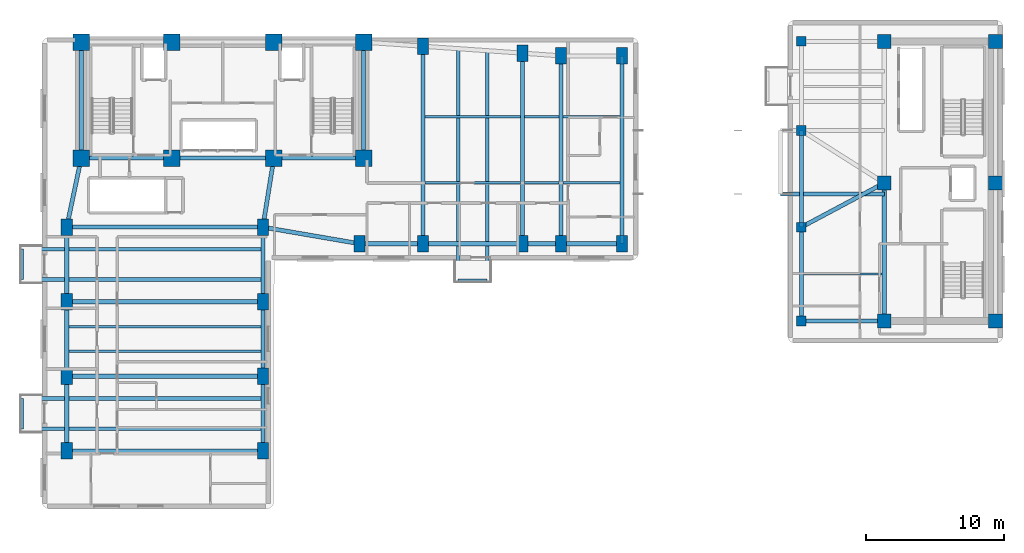
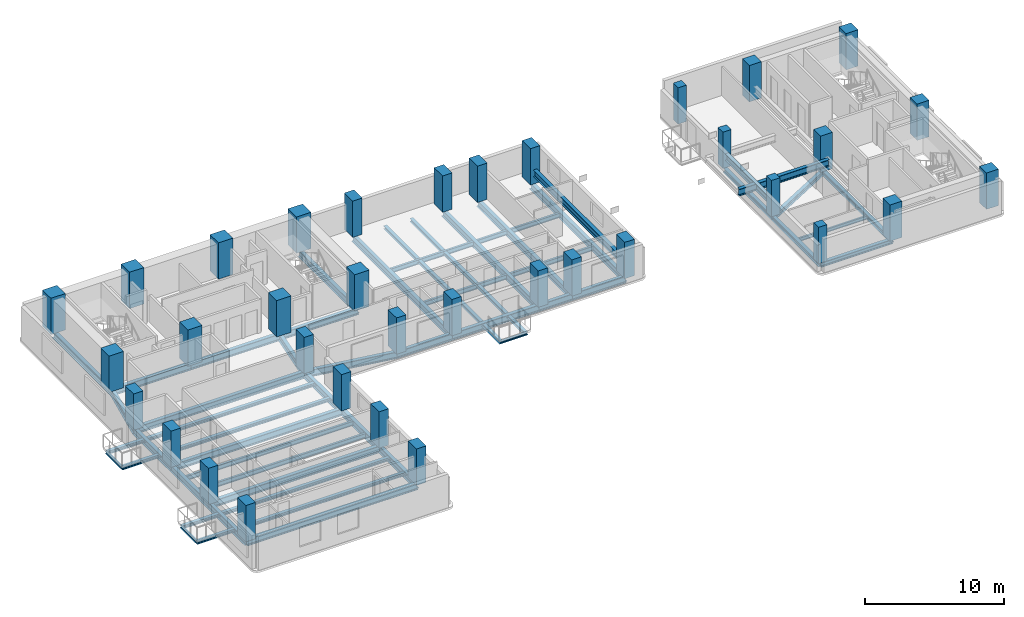
# One storey, part 1 of 11: 52 beams, 35 columns.
"""IFC4 building model written with IfcOpenShell, lengths in metres."""

from ifc_helpers import new_model, si_unit, direction, frame, origin, origin_2d, place, context, subcontext, project, spatial, rectangle, i_section, extrude, material, material_profile, profile_set, type_object, element, save


model = new_model("IFC4")

# Units and contexts
model_context = context("Model", 3, precision=1e-05, world=origin(), true_north=direction((0.0, 1.0)))
body_context = subcontext(model_context, "Body", "Model", "MODEL_VIEW")
ifc_project = project(units=[si_unit("LENGTHUNIT", "METRE"), si_unit("AREAUNIT", "SQUARE_METRE"), si_unit("VOLUMEUNIT", "CUBIC_METRE"), si_unit("PLANEANGLEUNIT", "RADIAN"), si_unit("MASSUNIT", "GRAM", prefix="KILO")], contexts=[model_context])

# Site, building, storey
site_placement = place(None, origin())
site = spatial("IfcSite", under=ifc_project, at=site_placement, CompositionType="ELEMENT")
building_placement = place(site_placement, origin())
building = spatial("IfcBuilding", under=site, at=building_placement, Name="Kuzgunbayir Cultural Tower", CompositionType="ELEMENT")
storey_placement = place(building_placement, frame((0.0, 0.0, 99.39990234375)))
storey = spatial("IfcBuildingStorey", under=building, at=storey_placement, Name="L28", CompositionType="ELEMENT", Elevation=99.39990234375)

# Columns
ifc_material_1 = material(Name="Concrete C60/75", Category="concrete")
ifc_material_profile_1 = material_profile(ifc_material_1, rectangle(XDim=1.199951171875, YDim=1.199951171875, at=origin_2d()), Name="RC 1200x1200")
ifc_profile_set_1 = profile_set([ifc_material_profile_1], Name="Concrete C60/75")
column_type_1 = type_object("IfcColumnType", Name="COL-CORE-1200", PredefinedType="COLUMN", material=ifc_profile_set_1)
for number, where, z_axis, x_axis, name in (
    (1, (6.449951171875, 33.800048828125, 0.0), (0.0, 0.0, 1.0), (1.0, 0.0, 0.0), "L28 T1 Core Boundary Column CC1-1"),
    (2, (13.0, 33.800048828125, 0.0), (0.0, 0.0, 1.0), (1.0, 0.0, 0.0), "L28 T1 Core Boundary Column CC1-2"),
    (3, (20.39990234375, 33.800048828125, 0.0), (0.0, 0.0, 1.0), (1.0, 0.0, 0.0), "L28 T1 Core Boundary Column CC1-3"),
    (4, (26.89990234375, 33.800048828125, 0.0), (0.0, 0.0, 1.0), (1.0, 0.0, 0.0), "L28 T1 Core Boundary Column CC1-4"),
    (5, (6.449951171875, 42.199951171875, 0.0), (0.0, 0.0, 1.0), (1.0, 0.0, 0.0), "L28 T1 Core Boundary Column CC1-5"),
    (6, (13.0, 42.199951171875, 0.0), (0.0, 0.0, 1.0), (1.0, 0.0, 0.0), "L28 T1 Core Boundary Column CC1-6"),
    (7, (20.39990234375, 42.199951171875, 0.0), (0.0, 0.0, 1.0), (1.0, 0.0, 0.0), "L28 T1 Core Boundary Column CC1-7"),
    (8, (26.89990234375, 42.199951171875, 0.0), (0.0, 0.0, 1.0), (1.0, 0.0, 0.0), "L28 T1 Core Boundary Column CC1-8"),
):
    element("IfcColumn", number, at=place(storey_placement, frame(where, z_axis=z_axis, x_axis=x_axis)), inside=storey, type_object=column_type_1, Name=name, PredefinedType="COLUMN", context=body_context, shape_type="SweptSolid", body=[
        extrude(rectangle(XDim=1.199951171875, YDim=1.199951171875, at=origin_2d()), origin(), (0.0, 0.0, 1.0), 3.2001953125),
    ])
ifc_material_profile_2 = material_profile(ifc_material_1, rectangle(XDim=0.800048828125, YDim=1.199951171875, at=origin_2d()), Name="RC 1200x800")
ifc_profile_set_2 = profile_set([ifc_material_profile_2], Name="Concrete C60/75")
column_type_2 = type_object("IfcColumnType", Name="COL-T1-1200x800", PredefinedType="COLUMN", material=ifc_profile_set_2)
for number, where, z_axis, x_axis, name in (
    (9, (5.39990234375, 12.60009765625, 0.0), (0.0, 0.0, 1.0), (1.0, 0.0, 0.0), "L28 Tower 1 Wing A Column T1A-W-1"),
    (10, (19.60009765625, 12.60009765625, 0.0), (0.0, 0.0, 1.0), (1.0, 0.0, 0.0), "L28 Tower 1 Wing A Column T1A-E-1"),
    (11, (5.39990234375, 18.0, 0.0), (0.0, 0.0, 1.0), (1.0, 0.0, 0.0), "L28 Tower 1 Wing A Column T1A-W-2"),
    (12, (19.60009765625, 18.0, 0.0), (0.0, 0.0, 1.0), (1.0, 0.0, 0.0), "L28 Tower 1 Wing A Column T1A-E-2"),
    (13, (5.39990234375, 23.39990234375, 0.0), (0.0, 0.0, 1.0), (1.0, 0.0, 0.0), "L28 Tower 1 Wing A Column T1A-W-3"),
    (14, (19.60009765625, 23.39990234375, 0.0), (0.0, 0.0, 1.0), (1.0, 0.0, 0.0), "L28 Tower 1 Wing A Column T1A-E-3"),
    (15, (5.39990234375, 28.800048828125, 0.0), (0.0, 0.0, 1.0), (1.0, 0.0, 0.0), "L28 Tower 1 Wing A Column T1A-W-4"),
    (16, (19.60009765625, 28.800048828125, 0.0), (0.0, 0.0, 1.0), (1.0, 0.0, 0.0), "L28 Tower 1 Wing A Column T1A-E-4"),
    (17, (26.60009765625, 27.60009765625, 0.0), (0.0, 0.0, 1.0), (1.0, 0.0, 0.0), "L28 Tower 1 Wing B Column T1B-1-1"),
    (18, (31.199951171875, 27.60009765625, 0.0), (0.0, 0.0, 1.0), (1.0, 0.0, 0.0), "L28 Tower 1 Wing B Column T1B-2-1"),
    (19, (31.199951171875, 41.89990234375, 0.0), (0.0, 0.0, 1.0), (1.0, 0.0, 0.0), "L28 Tower 1 Wing B Column T1B-2-2"),
    (20, (38.39990234375, 27.60009765625, 0.0), (0.0, 0.0, 1.0), (1.0, 0.0, 0.0), "L28 Tower 1 Wing B Column T1B-3-1"),
    (21, (38.39990234375, 41.39990234375, 0.0), (0.0, 0.0, 1.0), (1.0, 0.0, 0.0), "L28 Tower 1 Wing B Column T1B-3-2"),
    (22, (41.199951171875, 27.60009765625, 0.0), (0.0, 0.0, 1.0), (1.0, 0.0, 0.0), "L28 Tower 1 Wing B Column T1B-4-1"),
    (23, (41.199951171875, 41.199951171875, 0.0), (0.0, 0.0, 1.0), (1.0, 0.0, 0.0), "L28 Tower 1 Wing B Column T1B-4-2"),
    (24, (45.60009765625, 27.60009765625, 0.0), (0.0, 0.0, 1.0), (1.0, 0.0, 0.0), "L28 Tower 1 Wing B Column T1B-5-1"),
    (25, (45.60009765625, 41.199951171875, 0.0), (0.0, 0.0, 1.0), (1.0, 0.0, 0.0), "L28 Tower 1 Wing B Column T1B-5-2"),
):
    element("IfcColumn", number, at=place(storey_placement, frame(where, z_axis=z_axis, x_axis=x_axis)), inside=storey, type_object=column_type_2, Name=name, PredefinedType="COLUMN", context=body_context, shape_type="SweptSolid", body=[
        extrude(rectangle(XDim=0.800048828125, YDim=1.199951171875, at=origin_2d()), origin(), (0.0, 0.0, 1.0), 3.2001953125),
    ])
ifc_material_profile_3 = material_profile(ifc_material_1, rectangle(XDim=1.0, YDim=1.0, at=origin_2d()), Name="RC 1000x1000")
ifc_profile_set_3 = profile_set([ifc_material_profile_3], Name="Concrete C60/75")
column_type_3 = type_object("IfcColumnType", Name="COL-T2-1000", PredefinedType="COLUMN", material=ifc_profile_set_3)
for number, where, z_axis, x_axis, name in (
    (26, (64.60009765625, 22.0, 0.0), (0.0, 0.0, 1.0), (1.0, 0.0, 0.0), "L28 T2 Core Boundary Column CC2-1"),
    (27, (72.64990234375, 22.0, 0.0), (0.0, 0.0, 1.0), (1.0, 0.0, 0.0), "L28 T2 Core Boundary Column CC2-2"),
    (28, (64.60009765625, 32.0, 0.0), (0.0, 0.0, 1.0), (1.0, 0.0, 0.0), "L28 T2 Core Boundary Column CC2-3"),
    (29, (72.64990234375, 32.0, 0.0), (0.0, 0.0, 1.0), (1.0, 0.0, 0.0), "L28 T2 Core Boundary Column CC2-4"),
    (30, (64.60009765625, 42.25, 0.0), (0.0, 0.0, 1.0), (1.0, 0.0, 0.0), "L28 T2 Core Boundary Column CC2-5"),
    (31, (72.64990234375, 42.25, 0.0), (0.0, 0.0, 1.0), (1.0, 0.0, 0.0), "L28 T2 Core Boundary Column CC2-6"),
):
    element("IfcColumn", number, at=place(storey_placement, frame(where, z_axis=z_axis, x_axis=x_axis)), inside=storey, type_object=column_type_3, Name=name, PredefinedType="COLUMN", context=body_context, shape_type="SweptSolid", body=[
        extrude(rectangle(XDim=1.0, YDim=1.0, at=origin_2d()), origin(), (0.0, 0.0, 1.0), 3.2001953125),
    ])
ifc_material_profile_4 = material_profile(ifc_material_1, rectangle(XDim=0.699951171875, YDim=0.699951171875, at=origin_2d()), Name="RC 700x700")
ifc_profile_set_4 = profile_set([ifc_material_profile_4], Name="Concrete C60/75")
column_type_4 = type_object("IfcColumnType", Name="COL-T2-700", PredefinedType="COLUMN", material=ifc_profile_set_4)
for number, where, z_axis, x_axis, name in (
    (32, (58.60009765625, 22.0, 0.0), (0.0, 0.0, 1.0), (1.0, 0.0, 0.0), "L28 Companion Wing A Column T2A-W-1"),
    (33, (58.60009765625, 28.800048828125, 0.0), (0.0, 0.0, 1.0), (1.0, 0.0, 0.0), "L28 Companion Wing A Column T2A-W-2"),
    (34, (58.60009765625, 35.800048828125, 0.0), (0.0, 0.0, 1.0), (1.0, 0.0, 0.0), "L28 Companion Wing A Column T2A-W-3"),
    (35, (58.60009765625, 42.25, 0.0), (0.0, 0.0, 1.0), (1.0, 0.0, 0.0), "L28 Companion Wing A Column T2A-W-4"),
):
    element("IfcColumn", number, at=place(storey_placement, frame(where, z_axis=z_axis, x_axis=x_axis)), inside=storey, type_object=column_type_4, Name=name, PredefinedType="COLUMN", context=body_context, shape_type="SweptSolid", body=[
        extrude(rectangle(XDim=0.699951171875, YDim=0.699951171875, at=origin_2d()), origin(), (0.0, 0.0, 1.0), 3.2001953125),
    ])

# Beams
ifc_material_2 = material(Name="Steel S355J2", Category="steel")
ifc_material_profile_5 = material_profile(ifc_material_2, i_section(OverallWidth=0.280029296875, OverallDepth=0.280029296875, WebThickness=0.010498046875, FlangeThickness=0.01806640625, FilletRadius=0.02392578125, at=origin_2d()), Name="HEB 280")
ifc_profile_set_5 = profile_set([ifc_material_profile_5], Name="Steel S355J2")
beam_type_1 = type_object("IfcBeamType", Name="BM-BAL-HEB280", PredefinedType="BEAM", material=ifc_profile_set_5)
for number, where, z_axis, x_axis, name in (
    (36, (2.159912109375, 14.199951171875, -0.33984375), (1.0, 0.0, 0.0), (0.0, 1.0, 0.0), "L28 Balcony Outrigger Beam BAL-L28-WA1.1"),
    (37, (2.159912109375, 16.39990234375, -0.33984375), (1.0, 0.0, 0.0), (0.0, 1.0, 0.0), "L28 Balcony Outrigger Beam BAL-L28-WA1.2"),
    (38, (2.159912109375, 25.0, -0.33984375), (1.0, 0.0, 0.0), (0.0, 1.0, 0.0), "L28 Balcony Outrigger Beam BAL-L28-WA3.1"),
    (39, (2.159912109375, 27.199951171875, -0.33984375), (1.0, 0.0, 0.0), (0.0, 1.0, 0.0), "L28 Balcony Outrigger Beam BAL-L28-WA3.2"),
):
    element("IfcBeam", number, at=place(storey_placement, frame(where, z_axis=z_axis, x_axis=x_axis)), inside=storey, type_object=beam_type_1, Name=name, PredefinedType="BEAM", context=body_context, shape_type="SweptSolid", body=[
        extrude(i_section(OverallWidth=0.280029296875, OverallDepth=0.280029296875, WebThickness=0.010498046875, FlangeThickness=0.01806640625, FilletRadius=0.02392578125, at=origin_2d()), origin(), (0.0, 0.0, 1.0), 17.440185546875),
    ])
beam_1_placement = place(storey_placement, frame((33.75, 24.9599609375, -0.33984375), z_axis=(0.0, 1.0, 0.0), x_axis=(-1.0, 0.0, 0.0)))
element("IfcBeam", 40, at=beam_1_placement, inside=storey, type_object=beam_type_1, Name="L28 Balcony Outrigger Beam BAL-L28-WB2.1", PredefinedType="BEAM", context=body_context, shape_type="SweptSolid", body=[
    extrude(i_section(OverallWidth=0.280029296875, OverallDepth=0.280029296875, WebThickness=0.010498046875, FlangeThickness=0.01806640625, FilletRadius=0.02392578125, at=origin_2d()), origin(), (0.0, 0.0, 1.0), 16.760009765625),
])
beam_2_placement = place(storey_placement, frame((35.85009765625, 24.9599609375, -0.33984375), z_axis=(0.0, 1.0, 0.0), x_axis=(-1.0, 0.0, 0.0)))
element("IfcBeam", 41, at=beam_2_placement, inside=storey, type_object=beam_type_1, Name="L28 Balcony Outrigger Beam BAL-L28-WB2.2", PredefinedType="BEAM", context=body_context, shape_type="SweptSolid", body=[
    extrude(i_section(OverallWidth=0.280029296875, OverallDepth=0.280029296875, WebThickness=0.010498046875, FlangeThickness=0.01806640625, FilletRadius=0.02392578125, at=origin_2d()), origin(), (0.0, 0.0, 1.0), 16.6201171875),
])
ifc_material_profile_6 = material_profile(ifc_material_2, i_section(OverallWidth=0.199951171875, OverallDepth=0.199951171875, WebThickness=0.009033203125, FlangeThickness=0.014892578125, FilletRadius=0.01806640625, at=origin_2d()), Name="HEB 200")
ifc_profile_set_6 = profile_set([ifc_material_profile_6], Name="Steel S355J2")
beam_type_2 = type_object("IfcBeamType", Name="BM-CAN-HEB200", PredefinedType="BEAM", material=ifc_profile_set_6)
for number, where, z_axis, x_axis, name in (
    (42, (2.159912109375, 14.199951171875, -0.2998046875), (0.0, 1.0, 0.0), (-1.0, 0.0, 0.0), "L28 Balcony Edge Header BAL-L28-WA1"),
    (43, (2.159912109375, 25.0, -0.2998046875), (0.0, 1.0, 0.0), (-1.0, 0.0, 0.0), "L28 Balcony Edge Header BAL-L28-WA3"),
):
    element("IfcBeam", number, at=place(storey_placement, frame(where, z_axis=z_axis, x_axis=x_axis)), inside=storey, type_object=beam_type_2, Name=name, PredefinedType="BEAM", context=body_context, shape_type="SweptSolid", body=[
        extrude(i_section(OverallWidth=0.199951171875, OverallDepth=0.199951171875, WebThickness=0.009033203125, FlangeThickness=0.014892578125, FilletRadius=0.01806640625, at=origin_2d()), origin(), (0.0, 0.0, 1.0), 2.199951171875),
    ])
beam_3_placement = place(storey_placement, frame((33.75, 24.9599609375, -0.2998046875), z_axis=(1.0, 0.0, 0.0), x_axis=(0.0, 1.0, 0.0)))
element("IfcBeam", 44, at=beam_3_placement, inside=storey, type_object=beam_type_2, Name="L28 Balcony Edge Header BAL-L28-WB2", PredefinedType="BEAM", context=body_context, shape_type="SweptSolid", body=[
    extrude(i_section(OverallWidth=0.199951171875, OverallDepth=0.199951171875, WebThickness=0.009033203125, FlangeThickness=0.014892578125, FilletRadius=0.01806640625, at=origin_2d()), origin(), (0.0, 0.0, 1.0), 2.10009765625),
])
ifc_material_profile_7 = material_profile(ifc_material_2, i_section(OverallWidth=0.300048828125, OverallDepth=0.39990234375, WebThickness=0.013427734375, FlangeThickness=0.02392578125, FilletRadius=0.027099609375, at=origin_2d()), Name="HEB 400")
ifc_profile_set_7 = profile_set([ifc_material_profile_7], Name="Steel S355J2")
beam_type_3 = type_object("IfcBeamType", Name="BM-EXT-HEB400", PredefinedType="BEAM", material=ifc_profile_set_7)
beam_4_placement = place(storey_placement, frame((58.60009765625, 22.0, -0.3798828125), z_axis=(0.0, 1.0, 0.0), x_axis=(-1.0, 0.0, 0.0)))
element("IfcBeam", 45, at=beam_4_placement, inside=storey, type_object=beam_type_3, Name="L28 Companion West Girder", PredefinedType="BEAM", context=body_context, shape_type="SweptSolid", body=[
    extrude(i_section(OverallWidth=0.300048828125, OverallDepth=0.39990234375, WebThickness=0.013427734375, FlangeThickness=0.02392578125, FilletRadius=0.027099609375, at=origin_2d()), origin(), (0.0, 0.0, 1.0), 6.800048828125),
])
beam_5_placement = place(storey_placement, frame((58.60009765625, 28.800048828125, -0.3798828125), z_axis=(0.0, 1.0, 0.0), x_axis=(-1.0, 0.0, 0.0)))
element("IfcBeam", 46, at=beam_5_placement, inside=storey, type_object=beam_type_3, Name="L28 Companion West Girder", PredefinedType="BEAM", context=body_context, shape_type="SweptSolid", body=[
    extrude(i_section(OverallWidth=0.300048828125, OverallDepth=0.39990234375, WebThickness=0.013427734375, FlangeThickness=0.02392578125, FilletRadius=0.027099609375, at=origin_2d()), origin(), (0.0, 0.0, 1.0), 7.0),
])
ifc_material_profile_8 = material_profile(ifc_material_2, i_section(OverallWidth=0.300048828125, OverallDepth=0.60009765625, WebThickness=0.015380859375, FlangeThickness=0.030029296875, FilletRadius=0.027099609375, at=origin_2d()), Name="HEB 600")
ifc_profile_set_8 = profile_set([ifc_material_profile_8], Name="Steel S355J2")
beam_type_4 = type_object("IfcBeamType", Name="BM-EXT-HEB600", PredefinedType="BEAM", material=ifc_profile_set_8)
for number, where, z_axis, x_axis, name in (
    (47, (5.39990234375, 12.60009765625, -0.47998046875), (0.0, 1.0, 0.0), (-1.0, 0.0, 0.0), "L28 Wing A West Girder 1"),
    (48, (19.60009765625, 12.60009765625, -0.47998046875), (0.0, 1.0, 0.0), (-1.0, 0.0, 0.0), "L28 Wing A East Girder 1"),
    (49, (5.39990234375, 18.0, -0.47998046875), (0.0, 1.0, 0.0), (-1.0, 0.0, 0.0), "L28 Wing A West Girder 2"),
    (50, (19.60009765625, 18.0, -0.47998046875), (0.0, 1.0, 0.0), (-1.0, 0.0, 0.0), "L28 Wing A East Girder 2"),
):
    element("IfcBeam", number, at=place(storey_placement, frame(where, z_axis=z_axis, x_axis=x_axis)), inside=storey, type_object=beam_type_4, Name=name, PredefinedType="BEAM", context=body_context, shape_type="SweptSolid", body=[
        extrude(i_section(OverallWidth=0.300048828125, OverallDepth=0.60009765625, WebThickness=0.015380859375, FlangeThickness=0.030029296875, FilletRadius=0.027099609375, at=origin_2d()), origin(), (0.0, 0.0, 1.0), 5.39990234375),
    ])
for number, where, z_axis, x_axis, name in (
    (51, (5.39990234375, 23.39990234375, -0.47998046875), (0.0, 1.0, 0.0), (-1.0, 0.0, 0.0), "L28 Wing A West Girder 3"),
    (52, (19.60009765625, 23.39990234375, -0.47998046875), (0.0, 1.0, 0.0), (-1.0, 0.0, 0.0), "L28 Wing A East Girder 3"),
):
    element("IfcBeam", number, at=place(storey_placement, frame(where, z_axis=z_axis, x_axis=x_axis)), inside=storey, type_object=beam_type_4, Name=name, PredefinedType="BEAM", context=body_context, shape_type="SweptSolid", body=[
        extrude(i_section(OverallWidth=0.300048828125, OverallDepth=0.60009765625, WebThickness=0.015380859375, FlangeThickness=0.030029296875, FilletRadius=0.027099609375, at=origin_2d()), origin(), (0.0, 0.0, 1.0), 5.400146484375),
    ])
beam_6_placement = place(storey_placement, frame((26.60009765625, 27.60009765625, -0.47998046875), z_axis=(1.0, 0.0, 0.0), x_axis=(0.0, 1.0, 0.0)))
element("IfcBeam", 53, at=beam_6_placement, inside=storey, type_object=beam_type_4, Name="L28 Wing B South Girder 1", PredefinedType="BEAM", context=body_context, shape_type="SweptSolid", body=[
    extrude(i_section(OverallWidth=0.300048828125, OverallDepth=0.60009765625, WebThickness=0.015380859375, FlangeThickness=0.030029296875, FilletRadius=0.027099609375, at=origin_2d()), origin(), (0.0, 0.0, 1.0), 4.599853515625),
])
beam_7_placement = place(storey_placement, frame((31.199951171875, 27.60009765625, -0.47998046875), z_axis=(1.0, 0.0, 0.0), x_axis=(0.0, 1.0, 0.0)))
element("IfcBeam", 54, at=beam_7_placement, inside=storey, type_object=beam_type_4, Name="L28 Wing B South Girder 2", PredefinedType="BEAM", context=body_context, shape_type="SweptSolid", body=[
    extrude(i_section(OverallWidth=0.300048828125, OverallDepth=0.60009765625, WebThickness=0.015380859375, FlangeThickness=0.030029296875, FilletRadius=0.027099609375, at=origin_2d()), origin(), (0.0, 0.0, 1.0), 7.199951171875),
])
beam_8_placement = place(storey_placement, frame((38.39990234375, 27.60009765625, -0.47998046875), z_axis=(1.0, 0.0, 0.0), x_axis=(0.0, 1.0, 0.0)))
element("IfcBeam", 55, at=beam_8_placement, inside=storey, type_object=beam_type_4, Name="L28 Wing B South Girder 3", PredefinedType="BEAM", context=body_context, shape_type="SweptSolid", body=[
    extrude(i_section(OverallWidth=0.300048828125, OverallDepth=0.60009765625, WebThickness=0.015380859375, FlangeThickness=0.030029296875, FilletRadius=0.027099609375, at=origin_2d()), origin(), (0.0, 0.0, 1.0), 2.800048828125),
])
beam_9_placement = place(storey_placement, frame((41.199951171875, 27.60009765625, -0.47998046875), z_axis=(1.0, 0.0, 0.0), x_axis=(0.0, 1.0, 0.0)))
element("IfcBeam", 56, at=beam_9_placement, inside=storey, type_object=beam_type_4, Name="L28 Wing B South Girder 4", PredefinedType="BEAM", context=body_context, shape_type="SweptSolid", body=[
    extrude(i_section(OverallWidth=0.300048828125, OverallDepth=0.60009765625, WebThickness=0.015380859375, FlangeThickness=0.030029296875, FilletRadius=0.027099609375, at=origin_2d()), origin(), (0.0, 0.0, 1.0), 4.400146484375),
])
beam_10_placement = place(storey_placement, frame((45.60009765625, 27.60009765625, 0.940185546875), z_axis=(0.0, 1.0, 0.0), x_axis=(-1.0, 0.0, 0.0)))
element("IfcBeam", 57, at=beam_10_placement, inside=storey, type_object=beam_type_4, Name="L29 West Skybridge Corbel Seat Header", PredefinedType="BEAM", context=body_context, shape_type="SweptSolid", body=[
    extrude(i_section(OverallWidth=0.300048828125, OverallDepth=0.60009765625, WebThickness=0.015380859375, FlangeThickness=0.030029296875, FilletRadius=0.027099609375, at=origin_2d()), origin(), (0.0, 0.0, 1.0), 13.599853515625),
])
beam_11_placement = place(storey_placement, frame((58.60009765625, 28.800048828125, 0.940185546875), z_axis=(0.0, 1.0, 0.0), x_axis=(-1.0, 0.0, 0.0)))
element("IfcBeam", 58, at=beam_11_placement, inside=storey, type_object=beam_type_4, Name="L29 East Skybridge Corbel Seat Header South", PredefinedType="BEAM", context=body_context, shape_type="SweptSolid", body=[
    extrude(i_section(OverallWidth=0.300048828125, OverallDepth=0.60009765625, WebThickness=0.015380859375, FlangeThickness=0.030029296875, FilletRadius=0.027099609375, at=origin_2d()), origin(), (0.0, 0.0, 1.0), 7.0),
])
beam_12_placement = place(storey_placement, frame((57.10009765625, 31.199951171875, 0.940185546875), z_axis=(1.0, 0.0, 0.0), x_axis=(0.0, 1.0, 0.0)))
element("IfcBeam", 59, at=beam_12_placement, inside=storey, type_object=beam_type_4, Name="L29 Skybridge East 1500mm Corbel Seat S", PredefinedType="BEAM", context=body_context, shape_type="SweptSolid", body=[
    extrude(i_section(OverallWidth=0.300048828125, OverallDepth=0.60009765625, WebThickness=0.015380859375, FlangeThickness=0.030029296875, FilletRadius=0.027099609375, at=origin_2d()), origin(), (0.0, 0.0, 1.0), 7.5),
])
ifc_material_profile_9 = material_profile(ifc_material_2, i_section(OverallWidth=0.300048828125, OverallDepth=0.39990234375, WebThickness=0.013427734375, FlangeThickness=0.02392578125, FilletRadius=0.027099609375, at=origin_2d()), Name="HEB 400")
ifc_profile_set_9 = profile_set([ifc_material_profile_9], Name="Steel S355J2")
beam_type_5 = type_object("IfcBeamType", Name="BM-GIR-HEB400", PredefinedType="BEAM", material=ifc_profile_set_9)
beam_13_placement = place(storey_placement, frame((58.60009765625, 22.0, -0.3798828125), z_axis=(1.0, 0.0, 0.0), x_axis=(0.0, 1.0, 0.0)))
element("IfcBeam", 60, at=beam_13_placement, inside=storey, type_object=beam_type_5, Name="L28 Companion Transverse Girder 1", PredefinedType="BEAM", context=body_context, shape_type="SweptSolid", body=[
    extrude(i_section(OverallWidth=0.300048828125, OverallDepth=0.39990234375, WebThickness=0.013427734375, FlangeThickness=0.02392578125, FilletRadius=0.027099609375, at=origin_2d()), origin(), (0.0, 0.0, 1.0), 6.0),
])
beam_14_placement = place(storey_placement, frame((58.60009765625, 28.800048828125, -0.3798828125), z_axis=(0.882355922736, 0.470582644828, 0.0), x_axis=(-0.470582644828, 0.882355922736, 0.0)))
element("IfcBeam", 61, at=beam_14_placement, inside=storey, type_object=beam_type_5, Name="L28 Companion Transverse Girder 2", PredefinedType="BEAM", context=body_context, shape_type="SweptSolid", body=[
    extrude(i_section(OverallWidth=0.300048828125, OverallDepth=0.39990234375, WebThickness=0.013427734375, FlangeThickness=0.02392578125, FilletRadius=0.027099609375, at=origin_2d()), origin(), (0.0, 0.0, 1.0), 6.800048828125),
])
beam_15_placement = place(storey_placement, frame((64.60009765625, 22.0, -0.3798828125), z_axis=(0.0, 1.0, 0.0), x_axis=(-1.0, 0.0, 0.0)))
element("IfcBeam", 62, at=beam_15_placement, inside=storey, type_object=beam_type_5, Name="L28 Companion Core West Girder 1", PredefinedType="BEAM", context=body_context, shape_type="SweptSolid", body=[
    extrude(i_section(OverallWidth=0.300048828125, OverallDepth=0.39990234375, WebThickness=0.013427734375, FlangeThickness=0.02392578125, FilletRadius=0.027099609375, at=origin_2d()), origin(), (0.0, 0.0, 1.0), 10.0),
])
ifc_material_profile_10 = material_profile(ifc_material_2, i_section(OverallWidth=0.300048828125, OverallDepth=0.60009765625, WebThickness=0.015380859375, FlangeThickness=0.030029296875, FilletRadius=0.027099609375, at=origin_2d()), Name="HEB 600")
ifc_profile_set_10 = profile_set([ifc_material_profile_10], Name="Steel S355J2")
beam_type_6 = type_object("IfcBeamType", Name="BM-GIR-HEB600", PredefinedType="BEAM", material=ifc_profile_set_10)
beam_16_placement = place(storey_placement, frame((6.449951171875, 33.800048828125, -0.47998046875), z_axis=(1.0, 0.0, 0.0), x_axis=(0.0, 1.0, 0.0)))
element("IfcBeam", 63, at=beam_16_placement, inside=storey, type_object=beam_type_6, Name="L28 Core South Girder 1", PredefinedType="BEAM", context=body_context, shape_type="SweptSolid", body=[
    extrude(i_section(OverallWidth=0.300048828125, OverallDepth=0.60009765625, WebThickness=0.015380859375, FlangeThickness=0.030029296875, FilletRadius=0.027099609375, at=origin_2d()), origin(), (0.0, 0.0, 1.0), 6.550048828125),
])
beam_17_placement = place(storey_placement, frame((13.0, 33.800048828125, -0.47998046875), z_axis=(1.0, 0.0, 0.0), x_axis=(0.0, 1.0, 0.0)))
element("IfcBeam", 64, at=beam_17_placement, inside=storey, type_object=beam_type_6, Name="L28 Core South Girder 2", PredefinedType="BEAM", context=body_context, shape_type="SweptSolid", body=[
    extrude(i_section(OverallWidth=0.300048828125, OverallDepth=0.60009765625, WebThickness=0.015380859375, FlangeThickness=0.030029296875, FilletRadius=0.027099609375, at=origin_2d()), origin(), (0.0, 0.0, 1.0), 7.39990234375),
])
beam_18_placement = place(storey_placement, frame((20.39990234375, 33.800048828125, -0.47998046875), z_axis=(1.0, 0.0, 0.0), x_axis=(0.0, 1.0, 0.0)))
element("IfcBeam", 65, at=beam_18_placement, inside=storey, type_object=beam_type_6, Name="L28 Core South Girder 3", PredefinedType="BEAM", context=body_context, shape_type="SweptSolid", body=[
    extrude(i_section(OverallWidth=0.300048828125, OverallDepth=0.60009765625, WebThickness=0.015380859375, FlangeThickness=0.030029296875, FilletRadius=0.027099609375, at=origin_2d()), origin(), (0.0, 0.0, 1.0), 6.5),
])
for number, where, z_axis, x_axis, name in (
    (66, (6.449951171875, 33.800048828125, -0.47998046875), (0.0, 1.0, 0.0), (-1.0, 0.0, 0.0), "L28 Core West Edge Girder"),
    (67, (26.89990234375, 33.800048828125, -0.47998046875), (0.0, 1.0, 0.0), (-1.0, 0.0, 0.0), "L28 Core East Edge Girder"),
):
    element("IfcBeam", number, at=place(storey_placement, frame(where, z_axis=z_axis, x_axis=x_axis)), inside=storey, type_object=beam_type_6, Name=name, PredefinedType="BEAM", context=body_context, shape_type="SweptSolid", body=[
        extrude(i_section(OverallWidth=0.300048828125, OverallDepth=0.60009765625, WebThickness=0.015380859375, FlangeThickness=0.030029296875, FilletRadius=0.027099609375, at=origin_2d()), origin(), (0.0, 0.0, 1.0), 8.39990234375),
    ])
for number, where, z_axis, x_axis, name in (
    (68, (5.39990234375, 12.60009765625, -0.47998046875), (1.0, 0.0, 0.0), (0.0, 1.0, 0.0), "L28 Wing A Transverse Girder 1"),
    (69, (5.39990234375, 18.0, -0.47998046875), (1.0, 0.0, 0.0), (0.0, 1.0, 0.0), "L28 Wing A Transverse Girder 2"),
    (70, (5.39990234375, 23.39990234375, -0.47998046875), (1.0, 0.0, 0.0), (0.0, 1.0, 0.0), "L28 Wing A Transverse Girder 3"),
    (71, (5.39990234375, 28.800048828125, -0.47998046875), (1.0, 0.0, 0.0), (0.0, 1.0, 0.0), "L28 Wing A Transverse Girder 4"),
):
    element("IfcBeam", number, at=place(storey_placement, frame(where, z_axis=z_axis, x_axis=x_axis)), inside=storey, type_object=beam_type_6, Name=name, PredefinedType="BEAM", context=body_context, shape_type="SweptSolid", body=[
        extrude(i_section(OverallWidth=0.300048828125, OverallDepth=0.60009765625, WebThickness=0.015380859375, FlangeThickness=0.030029296875, FilletRadius=0.027099609375, at=origin_2d()), origin(), (0.0, 0.0, 1.0), 14.2001953125),
    ])
beam_19_placement = place(storey_placement, frame((5.39990234375, 28.800048828125, -0.47998046875), z_axis=(0.205526387753, 0.978651574329, 0.0), x_axis=(-0.978651574329, 0.205526387753, 0.0)))
element("IfcBeam", 72, at=beam_19_placement, inside=storey, type_object=beam_type_6, Name="L28 Wing A West Core Floor Girder", PredefinedType="BEAM", context=body_context, shape_type="SweptSolid", body=[
    extrude(i_section(OverallWidth=0.300048828125, OverallDepth=0.60009765625, WebThickness=0.015380859375, FlangeThickness=0.030029296875, FilletRadius=0.027099609375, at=origin_2d()), origin(), (0.0, 0.0, 1.0), 5.109130859375),
])
beam_20_placement = place(storey_placement, frame((19.60009765625, 28.800048828125, -0.47998046875), z_axis=(0.157952891656, 0.987446648694, 0.0), x_axis=(-0.987446648694, 0.157952891656, 0.0)))
element("IfcBeam", 73, at=beam_20_placement, inside=storey, type_object=beam_type_6, Name="L28 Wing A East Core Floor Girder", PredefinedType="BEAM", context=body_context, shape_type="SweptSolid", body=[
    extrude(i_section(OverallWidth=0.300048828125, OverallDepth=0.60009765625, WebThickness=0.015380859375, FlangeThickness=0.030029296875, FilletRadius=0.027099609375, at=origin_2d()), origin(), (0.0, 0.0, 1.0), 5.0634765625),
])
beam_21_placement = place(storey_placement, frame((31.199951171875, 27.60009765625, -0.47998046875), z_axis=(0.0, 1.0, 0.0), x_axis=(-1.0, 0.0, 0.0)))
element("IfcBeam", 74, at=beam_21_placement, inside=storey, type_object=beam_type_6, Name="L28 Wing B Cross Girder 31", PredefinedType="BEAM", context=body_context, shape_type="SweptSolid", body=[
    extrude(i_section(OverallWidth=0.300048828125, OverallDepth=0.60009765625, WebThickness=0.015380859375, FlangeThickness=0.030029296875, FilletRadius=0.027099609375, at=origin_2d()), origin(), (0.0, 0.0, 1.0), 14.2998046875),
])
beam_22_placement = place(storey_placement, frame((38.39990234375, 27.60009765625, -0.47998046875), z_axis=(0.0, 1.0, 0.0), x_axis=(-1.0, 0.0, 0.0)))
element("IfcBeam", 75, at=beam_22_placement, inside=storey, type_object=beam_type_6, Name="L28 Wing B Cross Girder 38", PredefinedType="BEAM", context=body_context, shape_type="SweptSolid", body=[
    extrude(i_section(OverallWidth=0.300048828125, OverallDepth=0.60009765625, WebThickness=0.015380859375, FlangeThickness=0.030029296875, FilletRadius=0.027099609375, at=origin_2d()), origin(), (0.0, 0.0, 1.0), 13.7998046875),
])
for number, where, z_axis, x_axis, name in (
    (76, (41.199951171875, 27.60009765625, -0.47998046875), (0.0, 1.0, 0.0), (-1.0, 0.0, 0.0), "L28 Wing B Cross Girder 41"),
    (77, (45.60009765625, 27.60009765625, -0.47998046875), (0.0, 1.0, 0.0), (-1.0, 0.0, 0.0), "L28 Wing B Cross Girder 45"),
):
    element("IfcBeam", number, at=place(storey_placement, frame(where, z_axis=z_axis, x_axis=x_axis)), inside=storey, type_object=beam_type_6, Name=name, PredefinedType="BEAM", context=body_context, shape_type="SweptSolid", body=[
        extrude(i_section(OverallWidth=0.300048828125, OverallDepth=0.60009765625, WebThickness=0.015380859375, FlangeThickness=0.030029296875, FilletRadius=0.027099609375, at=origin_2d()), origin(), (0.0, 0.0, 1.0), 13.599853515625),
    ])
beam_23_placement = place(storey_placement, frame((19.60009765625, 28.800048828125, -0.47998046875), z_axis=(0.985623399742, -0.168957136221, 0.0), x_axis=(0.168957136221, 0.985623399742, 0.0)))
element("IfcBeam", 78, at=beam_23_placement, inside=storey, type_object=beam_type_6, Name="L28 Wing B Waist Tie Girder", PredefinedType="BEAM", context=body_context, shape_type="SweptSolid", body=[
    extrude(i_section(OverallWidth=0.300048828125, OverallDepth=0.60009765625, WebThickness=0.015380859375, FlangeThickness=0.030029296875, FilletRadius=0.027099609375, at=origin_2d()), origin(), (0.0, 0.0, 1.0), 7.10205078125),
])
ifc_material_profile_11 = material_profile(ifc_material_2, i_section(OverallWidth=0.14990234375, OverallDepth=0.300048828125, WebThickness=0.007080078125, FlangeThickness=0.0107421875, FilletRadius=0.014892578125, at=origin_2d()), Name="IPE 300")
ifc_profile_set_11 = profile_set([ifc_material_profile_11], Name="Steel S355J2")
beam_type_7 = type_object("IfcBeamType", Name="BM-JST-IPE300", PredefinedType="JOIST", material=ifc_profile_set_11)
beam_24_placement = place(storey_placement, frame((58.75, 25.39990234375, -0.329833984375), z_axis=(1.0, 0.0, 0.0), x_axis=(0.0, 1.0, 0.0)))
element("IfcBeam", 79, at=beam_24_placement, inside=storey, type_object=beam_type_7, Name="L28 Companion Joist", PredefinedType="JOIST", context=body_context, shape_type="SweptSolid", body=[
    extrude(i_section(OverallWidth=0.14990234375, OverallDepth=0.300048828125, WebThickness=0.007080078125, FlangeThickness=0.0107421875, FilletRadius=0.014892578125, at=origin_2d()), origin(), (0.0, 0.0, 1.0), 5.699951171875),
])
ifc_material_profile_12 = material_profile(ifc_material_2, i_section(OverallWidth=0.179931640625, OverallDepth=0.39990234375, WebThickness=0.008544921875, FlangeThickness=0.013427734375, FilletRadius=0.02099609375, at=origin_2d()), Name="IPE 400")
ifc_profile_set_12 = profile_set([ifc_material_profile_12], Name="Steel S355J2")
beam_type_8 = type_object("IfcBeamType", Name="BM-JST-IPE400", PredefinedType="JOIST", material=ifc_profile_set_12)
for number, where, z_axis, x_axis, name in (
    (80, (5.550048828125, 19.800048828125, -0.3798828125), (1.0, 0.0, 0.0), (0.0, 1.0, 0.0), "L28 Wing A Secondary Joist 3"),
    (81, (5.550048828125, 21.60009765625, -0.3798828125), (1.0, 0.0, 0.0), (0.0, 1.0, 0.0), "L28 Wing A Secondary Joist 4"),
):
    element("IfcBeam", number, at=place(storey_placement, frame(where, z_axis=z_axis, x_axis=x_axis)), inside=storey, type_object=beam_type_8, Name=name, PredefinedType="JOIST", context=body_context, shape_type="SweptSolid", body=[
        extrude(i_section(OverallWidth=0.179931640625, OverallDepth=0.39990234375, WebThickness=0.008544921875, FlangeThickness=0.013427734375, FilletRadius=0.02099609375, at=origin_2d()), origin(), (0.0, 0.0, 1.0), 13.89990234375),
    ])
for number, where, z_axis, x_axis, name in (
    (82, (31.35009765625, 32.0, -0.3798828125), (1.0, 0.0, 0.0), (0.0, 1.0, 0.0), "L28 Wing B Secondary Joist 1.1"),
    (83, (31.35009765625, 36.800048828125, -0.3798828125), (1.0, 0.0, 0.0), (0.0, 1.0, 0.0), "L28 Wing B Secondary Joist 1.2"),
):
    element("IfcBeam", number, at=place(storey_placement, frame(where, z_axis=z_axis, x_axis=x_axis)), inside=storey, type_object=beam_type_8, Name=name, PredefinedType="JOIST", context=body_context, shape_type="SweptSolid", body=[
        extrude(i_section(OverallWidth=0.179931640625, OverallDepth=0.39990234375, WebThickness=0.008544921875, FlangeThickness=0.013427734375, FilletRadius=0.02099609375, at=origin_2d()), origin(), (0.0, 0.0, 1.0), 6.89990234375),
    ])
for number, where, z_axis, x_axis, name in (
    (84, (38.550048828125, 32.0, -0.3798828125), (1.0, 0.0, 0.0), (0.0, 1.0, 0.0), "L28 Wing B Secondary Joist 2.1"),
    (85, (38.550048828125, 36.800048828125, -0.3798828125), (1.0, 0.0, 0.0), (0.0, 1.0, 0.0), "L28 Wing B Secondary Joist 2.2"),
):
    element("IfcBeam", number, at=place(storey_placement, frame(where, z_axis=z_axis, x_axis=x_axis)), inside=storey, type_object=beam_type_8, Name=name, PredefinedType="JOIST", context=body_context, shape_type="SweptSolid", body=[
        extrude(i_section(OverallWidth=0.179931640625, OverallDepth=0.39990234375, WebThickness=0.008544921875, FlangeThickness=0.013427734375, FilletRadius=0.02099609375, at=origin_2d()), origin(), (0.0, 0.0, 1.0), 2.5),
    ])
for number, where, z_axis, x_axis, name in (
    (86, (41.35009765625, 32.0, -0.3798828125), (1.0, 0.0, 0.0), (0.0, 1.0, 0.0), "L28 Wing B Secondary Joist 3.1"),
    (87, (41.35009765625, 36.800048828125, -0.3798828125), (1.0, 0.0, 0.0), (0.0, 1.0, 0.0), "L28 Wing B Secondary Joist 3.2"),
):
    element("IfcBeam", number, at=place(storey_placement, frame(where, z_axis=z_axis, x_axis=x_axis)), inside=storey, type_object=beam_type_8, Name=name, PredefinedType="JOIST", context=body_context, shape_type="SweptSolid", body=[
        extrude(i_section(OverallWidth=0.179931640625, OverallDepth=0.39990234375, WebThickness=0.008544921875, FlangeThickness=0.013427734375, FilletRadius=0.02099609375, at=origin_2d()), origin(), (0.0, 0.0, 1.0), 4.099853515625),
    ])

save(model, "model.ifc")
